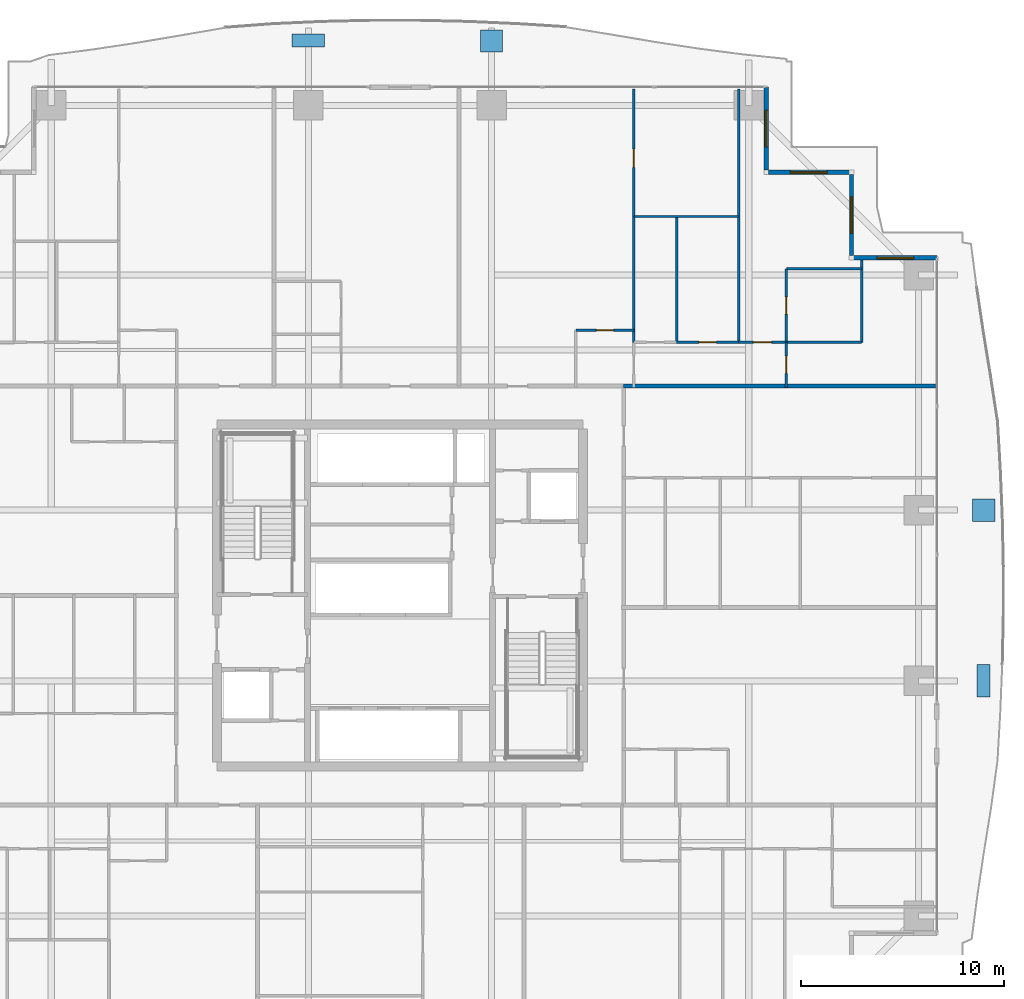
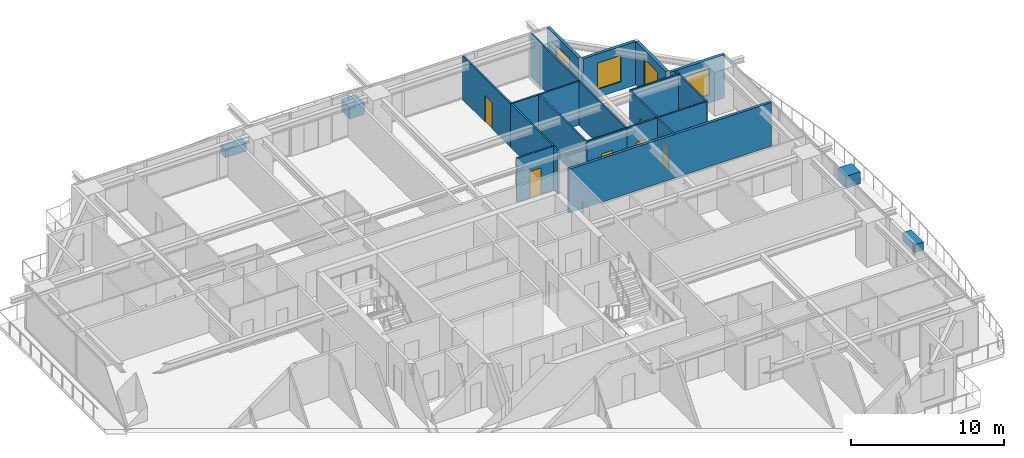
# One storey, part 32 of 38: 18 walls, 6 doors, 4 discrete accessories, 4 windows, 10 openings.
"""IFC4 building model written with IfcOpenShell, lengths in metres."""

import ifcopenshell
import ifcopenshell.guid

model = None  # the IFC model being written
_history = None  # IfcOwnerHistory: only IFC2X3 demands one
_inside = {}  # id of a spatial element -> (the spatial element, [elements in it])
_under = {}  # id of a project, library or spatial element -> (it, [spatial elements below it])
_declared = {}  # id of a project -> (the project, [libraries it declares])
_typed = {}  # id of a type object -> (the type object, [elements of that type])
_made_of = {}  # id of a material, layer set ... -> (it, [elements and type objects made of it])


def new_model(schema):
    """Start an empty IFC model of exactly this schema.

    Asked for "IFC4X3", IfcOpenShell would pick the latest addendum, in which some entities
    have other attributes; the version numbers below select the first issue.
    IFC2X3 requires an IfcOwnerHistory on every rooted entity: one is made here for all.
    """
    global model, _history
    if schema == "IFC4X3":
        model = ifcopenshell.file(schema_version=(4, 3, 0, 0))
    else:
        model = ifcopenshell.file(schema=schema)
    _inside.clear()
    _under.clear()
    _declared.clear()
    _typed.clear()
    _made_of.clear()
    _history = None
    if model.schema == "IFC2X3":
        org = make("IfcOrganization", Name="unknown")
        user = make(
            "IfcPersonAndOrganization",
            ThePerson=make("IfcPerson", FamilyName="unknown"),
            TheOrganization=org,
        )
        app = make(
            "IfcApplication",
            ApplicationDeveloper=org,
            Version="unknown",
            ApplicationFullName="unknown",
            ApplicationIdentifier="unknown",
        )
        _history = make(
            "IfcOwnerHistory",
            OwningUser=user,
            OwningApplication=app,
            ChangeAction="ADDED",
            CreationDate=0,
        )
    return model


def make(cls, **values):
    """One entity of the class cls with the attributes given. An attribute that is None is left unset."""
    return model.create_entity(
        cls, **{name: value for name, value in values.items() if value is not None}
    )


def rooted(cls, **values):
    """An entity with a GlobalId (a new one), such as an element, a storey or a relation."""
    return make(cls, GlobalId=ifcopenshell.guid.new(), OwnerHistory=_history, **values)


def si_unit(unit_type, name, prefix=None):
    """IfcSIUnit, for example si_unit("LENGTHUNIT", "METRE", prefix="MILLI")."""
    return make("IfcSIUnit", UnitType=unit_type, Prefix=prefix, Name=name)


def assignment(units):
    """IfcUnitAssignment: the units of a project."""
    return None if units is None else make("IfcUnitAssignment", Units=units)


def point(xyz):
    """IfcCartesianPoint."""
    return None if xyz is None else make("IfcCartesianPoint", Coordinates=xyz)


def direction(xyz):
    """IfcDirection."""
    return None if xyz is None else make("IfcDirection", DirectionRatios=xyz)


def frame(location, z_axis=None, x_axis=None):
    """IfcAxis2Placement3D, a coordinate frame: its origin and axes. An axis left out is left unset."""
    return make(
        "IfcAxis2Placement3D",
        Location=point(location),
        Axis=direction(z_axis),
        RefDirection=direction(x_axis),
    )


def frame_2d(location, x_axis=None):
    """IfcAxis2Placement2D, a coordinate frame in the plane: its origin and x axis."""
    return make(
        "IfcAxis2Placement2D", Location=point(location), RefDirection=direction(x_axis)
    )


def origin():
    """The frame at (0, 0, 0) with its axes left unset."""
    return frame((0.0, 0.0, 0.0))


def origin_2d():
    """The frame at (0, 0) in the plane with its x axis left unset."""
    return frame_2d((0.0, 0.0))


def place(relative_to, where):
    """IfcLocalPlacement: puts the frame where relative to a parent placement (None: the world)."""
    return make(
        "IfcLocalPlacement", PlacementRelTo=relative_to, RelativePlacement=where
    )


def context(
    kind, dimensions, precision=None, world=None, true_north=None, identifier=None
):
    """IfcGeometricRepresentationContext, for example the 3D "Model" context."""
    return make(
        "IfcGeometricRepresentationContext",
        ContextIdentifier=identifier,
        ContextType=kind,
        CoordinateSpaceDimension=dimensions,
        Precision=precision,
        WorldCoordinateSystem=world,
        TrueNorth=true_north,
    )


def subcontext(parent, identifier, kind, view, scale=None):
    """IfcGeometricRepresentationSubContext, for example "Body" below "Model"."""
    return make(
        "IfcGeometricRepresentationSubContext",
        ContextIdentifier=identifier,
        ContextType=kind,
        ParentContext=parent,
        TargetScale=scale,
        TargetView=view,
    )


def project(units=None, contexts=None):
    """IfcProject with its units and contexts."""
    return rooted(
        "IfcProject",
        Name="project",
        RepresentationContexts=contexts,
        UnitsInContext=assignment(units),
    )


def spatial(cls, under=None, at=None, **own):
    """A site, building, storey or space (cls), placed at a placement, below another one or the project."""
    s = rooted(cls, ObjectPlacement=at, **own)
    if under is not None:
        _under.setdefault(under.id(), (under, []))[1].append(s)
    return s


def profile(cls, at=None, kind="AREA", **sizes):
    """A parametric profile (cls). Its sizes go by their IFC names, for example OverallWidth=200.0."""
    return make(cls, ProfileType=kind, Position=at, **sizes)


def rectangle(**sizes):
    """IfcRectangleProfileDef."""
    return profile("IfcRectangleProfileDef", **sizes)


def extrude(swept, where, along, depth):
    """IfcExtrudedAreaSolid: the profile swept, set in the frame where, extruded along a direction by depth."""
    return make(
        "IfcExtrudedAreaSolid",
        SweptArea=swept,
        Position=where,
        ExtrudedDirection=direction(along),
        Depth=depth,
    )


def shape(context_of_items, identifier, shape_type, items):
    """IfcShapeRepresentation: the items that make up one representation, for example the "Body"."""
    return make(
        "IfcShapeRepresentation",
        ContextOfItems=context_of_items,
        RepresentationIdentifier=identifier,
        RepresentationType=shape_type,
        Items=items,
    )


def source(mapping_origin, context_of_items, identifier, shape_type, items):
    """IfcRepresentationMap: a shape defined once, which mapped items show again and again."""
    return make(
        "IfcRepresentationMap",
        MappingOrigin=mapping_origin,
        MappedRepresentation=shape(context_of_items, identifier, shape_type, items),
    )


def transform(
    local_origin,
    x_axis=None,
    y_axis=None,
    z_axis=None,
    scale=None,
    scale2=None,
    scale3=None,
    uniform=True,
):
    """IfcCartesianTransformationOperator3D, or its non-uniform kind. x_axis, y_axis, z_axis: its Axis1, 2, 3."""
    if uniform:
        return make(
            "IfcCartesianTransformationOperator3D",
            Axis1=direction(x_axis),
            Axis2=direction(y_axis),
            LocalOrigin=point(local_origin),
            Scale=scale,
            Axis3=direction(z_axis),
        )
    return make(
        "IfcCartesianTransformationOperator3DnonUniform",
        Axis1=direction(x_axis),
        Axis2=direction(y_axis),
        LocalOrigin=point(local_origin),
        Scale=scale,
        Axis3=direction(z_axis),
        Scale2=scale2,
        Scale3=scale3,
    )


def mapped(mapping_source, mapping_target):
    """IfcMappedItem: shows the shape of a source again, moved by a transform."""
    return make(
        "IfcMappedItem", MappingSource=mapping_source, MappingTarget=mapping_target
    )


def material(Name=None, Category=None):
    """IfcMaterial."""
    return make("IfcMaterial", Name=Name, Category=Category)


def layer(
    of_material, thickness, ventilated=None, Name=None, Category=None, Priority=None
):
    """IfcMaterialLayer: one layer of a wall or slab, of a material (None: an air gap)."""
    return make(
        "IfcMaterialLayer",
        Material=of_material,
        LayerThickness=thickness,
        IsVentilated=ventilated,
        Name=Name,
        Category=Category,
        Priority=Priority,
    )


def layer_set(layers, Name=None):
    """IfcMaterialLayerSet."""
    return make("IfcMaterialLayerSet", MaterialLayers=layers, LayerSetName=Name)


def made_of(thing, what):
    """Note that an element or type object is made of a material, layer set ...; save() writes the relation."""
    if what is not None:
        _made_of.setdefault(what.id(), (what, []))[1].append(thing)
    return thing


def type_object(cls, material=None, **own):
    """A type object (cls), such as IfcWallType, which elements share."""
    return made_of(rooted(cls, **own), material)


def element(
    cls,
    number,
    at=None,
    inside=None,
    cuts=None,
    type_object=None,
    material=None,
    context=None,
    identifier="Body",
    shape_type=None,
    held_by="IfcProductDefinitionShape",
    body=None,
    shapes=None,
    **own,
):
    """One element of the class cls, such as IfcWall. Its Tag is "e" and its number.

    at: its placement. inside: the storey or other place that contains it. cuts: it is an
    opening in that element (IfcRelVoidsElement). A single representation is given by context,
    identifier, shape_type and body (its items); several are given by shapes. held_by: the class
    of the entity that holds the representations. save() writes the other relations.
    """
    e = rooted(cls, Tag="e%d" % number, ObjectPlacement=at, **own)
    if body is not None:
        shapes = [shape(context, identifier, shape_type, body)]
    if shapes is not None:
        e.Representation = make(held_by, Representations=shapes)
    if inside is not None:
        _inside.setdefault(inside.id(), (inside, []))[1].append(e)
    if cuts is not None:
        rooted(
            "IfcRelVoidsElement", RelatingBuildingElement=cuts, RelatedOpeningElement=e
        )
    if type_object is not None:
        _typed.setdefault(type_object.id(), (type_object, []))[1].append(e)
    return made_of(e, material)


def fill(opening, filler):
    """IfcRelFillsElement: the door or window that sits in an opening."""
    return rooted(
        "IfcRelFillsElement",
        RelatingOpeningElement=opening,
        RelatedBuildingElement=filler,
    )


def aggregate(whole, parts):
    """IfcRelAggregates: a whole, such as a stair, and the parts it consists of."""
    return rooted("IfcRelAggregates", RelatingObject=whole, RelatedObjects=parts)


def save(model, path):
    """Write the relations noted so far, then the file.

    IfcRelAggregates (storeys below a building ...), IfcRelContainedInSpatialStructure (elements
    in a storey), IfcRelDefinesByType, IfcRelAssociatesMaterial and IfcRelDeclares: one each for
    every whole, place, type object, material and project.
    """
    for whole, parts in _under.values():
        aggregate(whole, parts)
    for where, things in _inside.values():
        rooted(
            "IfcRelContainedInSpatialStructure",
            RelatedElements=things,
            RelatingStructure=where,
        )
    for kind, things in _typed.values():
        rooted("IfcRelDefinesByType", RelatedObjects=things, RelatingType=kind)
    for what, things in _made_of.values():
        rooted("IfcRelAssociatesMaterial", RelatedObjects=things, RelatingMaterial=what)
    for by, libraries in _declared.values():
        rooted("IfcRelDeclares", RelatingContext=by, RelatedDefinitions=libraries)
    model.write(path)


model = new_model("IFC4")

# Units and contexts
model_context = context("Model", 3, precision=1e-05, world=origin(), true_north=direction((0.0, 1.0)))
body_context = subcontext(model_context, "Body", "Model", "MODEL_VIEW")
ifc_project = project(units=[si_unit("LENGTHUNIT", "METRE"), si_unit("AREAUNIT", "SQUARE_METRE"), si_unit("VOLUMEUNIT", "CUBIC_METRE"), si_unit("PLANEANGLEUNIT", "RADIAN"), si_unit("MASSUNIT", "GRAM", prefix="KILO")], contexts=[model_context])

# Site, building, storey
site_placement = place(None, origin())
site = spatial("IfcSite", under=ifc_project, at=site_placement, CompositionType="ELEMENT")
building_placement = place(site_placement, origin())
building = spatial("IfcBuilding", under=site, at=building_placement, Name="Serunith Strait Residences", CompositionType="ELEMENT")
storey_placement = place(building_placement, frame((0.0, 0.0, 37.949951171875)))
storey = spatial("IfcBuildingStorey", under=building, at=storey_placement, Name="L08", CompositionType="ELEMENT", Elevation=37.949951171875)

# Wall, opening, window
ifc_material_1 = material(Name="Pale-Champagne Aluminium Insulated Panel", Category="aluminium")
ifc_layer_1 = layer(ifc_material_1, 0.219970703125, Name="Pale-Champagne Aluminium Insulated Panel")
ifc_layer_set_1 = layer_set([ifc_layer_1], Name="Pale-Champagne Aluminium Insulated Panel")
wall_type_1 = type_object("IfcWallType", Name="EW-ALUM-220", PredefinedType="ELEMENTEDWALL", material=ifc_layer_set_1)
wall_1_placement = place(storey_placement, frame((58.800048828125, 41.800048828125, 0.0), z_axis=(0.0, 0.0, 1.0), x_axis=(-1.0, 0.0, 0.0)))
wall_1 = element("IfcWall", 1, at=wall_1_placement, inside=storey, type_object=wall_type_1, Name="L08 Girih Serrated Corner Wall 07", PredefinedType="ELEMENTEDWALL", context=body_context, shape_type="SweptSolid", body=[
    extrude(rectangle(XDim=4.090087890625, YDim=0.219970703125, at=frame_2d((2.044921875, 0.0))), origin(), (0.0, 0.0, 1.0), 3.47509765625),
])
opening_1_placement = place(wall_1_placement, frame((1.14501953125, 0.0, 0.64990234375)))
opening_1 = element("IfcOpeningElement", 2, at=opening_1_placement, cuts=wall_1, Name="Opening W-01", PredefinedType="OPENING", context=body_context, shape_type="SweptSolid", body=[
    extrude(rectangle(XDim=1.800048828125, YDim=2.10009765625, at=frame_2d((0.89990234375, 1.050048828125))), frame((0.0, 0.1201171875, 0.0), z_axis=(0.0, -1.0, 0.0), x_axis=(1.0, 0.0, 0.0)), (0.0, 0.0, 1.0), 0.239990234375),
])
ifc_material_2 = material(Name="Ceramic-Fritted Operable Aluminium Window Glass", Category="aluminium")
window_type = type_object("IfcWindowType", Name="WIN-C1", PartitioningType="DOUBLE_PANEL_VERTICAL", PredefinedType="WINDOW", material=ifc_material_2)
shared_shape_1 = source(origin(), body_context, "Body", "SweptSolid", [
    extrude(rectangle(XDim=1.800048828125, YDim=2.10009765625, at=frame_2d((0.89990234375, 1.050048828125))), frame((0.0, 0.030029296875, 0.0), z_axis=(0.0, -1.0, 0.0), x_axis=(1.0, 0.0, 0.0)), (0.0, 0.0, 1.0), 0.06005859375),
])
window_1_placement = place(opening_1_placement, origin())
window_1 = element("IfcWindow", 3, at=window_1_placement, inside=storey, type_object=window_type, Name="L08 Corner Operable Fritted Window 07", OverallHeight=2.10009765625, OverallWidth=1.800048828125, PartitioningType="SINGLE_PANEL", PredefinedType="WINDOW", context=body_context, shape_type="MappedRepresentation", body=[
    mapped(shared_shape_1, transform((0.0, 0.0, 0.0), scale=1.0)),
])
fill(opening_1, window_1)

wall_2_placement = place(storey_placement, frame((54.60009765625, 41.909912109375, 0.0), z_axis=(0.0, 0.0, 1.0), x_axis=(0.0, 1.0, 0.0)))
wall_2 = element("IfcWall", 4, at=wall_2_placement, inside=storey, type_object=wall_type_1, Name="L08 Girih Serrated Corner Wall 08", PredefinedType="ELEMENTEDWALL", context=body_context, shape_type="SweptSolid", body=[
    extrude(rectangle(XDim=3.97998046875, YDim=0.219970703125, at=frame_2d((1.989990234375, 0.0))), origin(), (0.0, 0.0, 1.0), 3.47509765625),
])
opening_2_placement = place(wall_2_placement, frame((1.090087890625, 0.0, 0.64990234375)))
opening_2 = element("IfcOpeningElement", 5, at=opening_2_placement, cuts=wall_2, Name="Opening W-01", PredefinedType="OPENING", context=body_context, shape_type="SweptSolid", body=[
    extrude(rectangle(XDim=1.800048828125, YDim=2.10009765625, at=frame_2d((0.89990234375, 1.050048828125))), frame((0.0, 0.1201171875, 0.0), z_axis=(0.0, -1.0, 0.0), x_axis=(1.0, 0.0, 0.0)), (0.0, 0.0, 1.0), 0.239990234375),
])
window_2_placement = place(opening_2_placement, origin())
window_2 = element("IfcWindow", 6, at=window_2_placement, inside=storey, type_object=window_type, Name="L08 Corner Operable Fritted Window 08", OverallHeight=2.10009765625, OverallWidth=1.800048828125, PartitioningType="SINGLE_PANEL", PredefinedType="WINDOW", context=body_context, shape_type="MappedRepresentation", body=[
    mapped(shared_shape_1, transform((0.0, 0.0, 0.0), scale=1.0)),
])
fill(opening_2, window_2)

wall_3_placement = place(storey_placement, frame((54.489990234375, 46.0, 0.0), z_axis=(0.0, 0.0, 1.0), x_axis=(-1.0, 0.0, 0.0)))
wall_3 = element("IfcWall", 7, at=wall_3_placement, inside=storey, type_object=wall_type_1, Name="L08 Girih Serrated Corner Wall 09", PredefinedType="ELEMENTEDWALL", context=body_context, shape_type="SweptSolid", body=[
    extrude(rectangle(XDim=3.97998046875, YDim=0.219970703125, at=frame_2d((1.989990234375, 0.0))), origin(), (0.0, 0.0, 1.0), 3.47509765625),
])
opening_3_placement = place(wall_3_placement, frame((1.090087890625, 0.0, 0.64990234375)))
opening_3 = element("IfcOpeningElement", 8, at=opening_3_placement, cuts=wall_3, Name="Opening W-01", PredefinedType="OPENING", context=body_context, shape_type="SweptSolid", body=[
    extrude(rectangle(XDim=1.800048828125, YDim=2.10009765625, at=frame_2d((0.89990234375, 1.050048828125))), frame((0.0, 0.1201171875, 0.0), z_axis=(0.0, -1.0, 0.0), x_axis=(1.0, 0.0, 0.0)), (0.0, 0.0, 1.0), 0.239990234375),
])
window_3_placement = place(opening_3_placement, origin())
window_3 = element("IfcWindow", 9, at=window_3_placement, inside=storey, type_object=window_type, Name="L08 Corner Operable Fritted Window 09", OverallHeight=2.10009765625, OverallWidth=1.800048828125, PartitioningType="SINGLE_PANEL", PredefinedType="WINDOW", context=body_context, shape_type="MappedRepresentation", body=[
    mapped(shared_shape_1, transform((0.0, 0.0, 0.0), scale=1.0)),
])
fill(opening_3, window_3)

wall_4_placement = place(storey_placement, frame((50.39990234375, 46.110107421875, 0.0), z_axis=(0.0, 0.0, 1.0), x_axis=(0.0, 1.0, 0.0)))
wall_4 = element("IfcWall", 10, at=wall_4_placement, inside=storey, type_object=wall_type_1, Name="L08 Girih Serrated Corner Wall 10", PredefinedType="ELEMENTEDWALL", context=body_context, shape_type="SweptSolid", body=[
    extrude(rectangle(XDim=4.08984375, YDim=0.219970703125, at=frame_2d((2.044921875, 0.0))), origin(), (0.0, 0.0, 1.0), 3.47509765625),
])
opening_4_placement = place(wall_4_placement, frame((1.14501953125, 0.0, 0.64990234375)))
opening_4 = element("IfcOpeningElement", 11, at=opening_4_placement, cuts=wall_4, Name="Opening W-01", PredefinedType="OPENING", context=body_context, shape_type="SweptSolid", body=[
    extrude(rectangle(XDim=1.800048828125, YDim=2.10009765625, at=frame_2d((0.89990234375, 1.050048828125))), frame((0.0, 0.1201171875, 0.0), z_axis=(0.0, -1.0, 0.0), x_axis=(1.0, 0.0, 0.0)), (0.0, 0.0, 1.0), 0.239990234375),
])
window_4_placement = place(opening_4_placement, origin())
window_4 = element("IfcWindow", 12, at=window_4_placement, inside=storey, type_object=window_type, Name="L08 Corner Operable Fritted Window 10", OverallHeight=2.10009765625, OverallWidth=1.800048828125, PartitioningType="SINGLE_PANEL", PredefinedType="WINDOW", context=body_context, shape_type="MappedRepresentation", body=[
    mapped(shared_shape_1, transform((0.0, 0.0, 0.0), scale=1.0)),
])
fill(opening_4, window_4)

# Wall, opening, door
ifc_material_3 = material(Name="Lightweight steel-stud gypsum partition", Category="steel")
ifc_layer_2 = layer(ifc_material_3, 0.1201171875, Name="Lightweight steel-stud gypsum partition")
ifc_layer_set_2 = layer_set([ifc_layer_2], Name="Lightweight steel-stud gypsum partition")
wall_type_2 = type_object("IfcWallType", Name="IW-PART-120", PredefinedType="PARTITIONING", material=ifc_layer_set_2)
wall_5_placement = place(storey_placement, frame((41.050048828125, 38.25, 0.0), z_axis=(0.0, 0.0, 1.0), x_axis=(1.0, 0.0, 0.0)))
wall_5 = element("IfcWall", 13, at=wall_5_placement, inside=storey, type_object=wall_type_2, Name="L08 Partition Wall 087", PredefinedType="PARTITIONING", context=body_context, shape_type="SweptSolid", body=[
    extrude(rectangle(XDim=2.849853515625, YDim=0.1201171875, at=frame_2d((1.4248046875, 0.0))), origin(), (0.0, 0.0, 1.0), 3.489990234375),
])
opening_5_placement = place(wall_5_placement, frame((1.0, 0.0, 0.0)))
opening_5 = element("IfcOpeningElement", 14, at=opening_5_placement, cuts=wall_5, Name="Opening D-RM850", PredefinedType="OPENING", context=body_context, shape_type="SweptSolid", body=[
    extrude(rectangle(XDim=0.85009765625, YDim=2.10009765625, at=frame_2d((0.425048828125, 1.050048828125))), frame((0.0, 0.070068359375, 0.0), z_axis=(0.0, -1.0, 0.0), x_axis=(1.0, 0.0, 0.0)), (0.0, 0.0, 1.0), 0.14013671875),
])
ifc_material_4 = material(Name="Engineered timber flush study and kitchen door", Category="wood")
door_type_1 = type_object("IfcDoorType", Name="ID-ROOM-850", OperationType="NOTDEFINED", PredefinedType="DOOR", material=ifc_material_4)
shared_shape_2 = source(origin(), body_context, "Body", "SweptSolid", [
    extrude(rectangle(XDim=0.85009765625, YDim=2.10009765625, at=frame_2d((0.425048828125, 1.050048828125))), frame((0.0, 0.02490234375, 0.0), z_axis=(0.0, -1.0, 0.0), x_axis=(1.0, 0.0, 0.0)), (0.0, 0.0, 1.0), 0.050048828125),
])
door_1_placement = place(opening_5_placement, origin())
door_1 = element("IfcDoor", 15, at=door_1_placement, inside=storey, type_object=door_type_1, Name="L08 Kitchen 0806 Door", OperationType="SINGLE_SWING_RIGHT", OverallHeight=2.10009765625, OverallWidth=0.85009765625, PredefinedType="DOOR", context=body_context, shape_type="MappedRepresentation", body=[
    mapped(shared_shape_2, transform((0.0, 0.0, 0.0), scale=1.0)),
])
fill(opening_5, door_1)

wall_6_placement = place(storey_placement, frame((43.89990234375, 50.10498046875, 0.0), z_axis=(0.0, 0.0, 1.0), x_axis=(0.0, -1.0, 0.0)))
wall_6 = element("IfcWall", 16, at=wall_6_placement, inside=storey, type_object=wall_type_2, Name="L08 Partition Wall 090", PredefinedType="PARTITIONING", context=body_context, shape_type="SweptSolid", body=[
    extrude(rectangle(XDim=6.26904296875, YDim=0.1201171875, at=frame_2d((3.134521484375, 0.0))), origin(), (0.0, 0.0, 1.0), 3.489990234375),
])
opening_6_placement = place(wall_6_placement, frame((2.952880859375, 0.0, 0.0)))
opening_6 = element("IfcOpeningElement", 17, at=opening_6_placement, cuts=wall_6, Name="Opening D-RM900", PredefinedType="OPENING", context=body_context, shape_type="SweptSolid", body=[
    extrude(rectangle(XDim=0.89990234375, YDim=2.10009765625, at=frame_2d((0.449951171875, 1.050048828125))), frame((0.0, 0.070068359375, 0.0), z_axis=(0.0, -1.0, 0.0), x_axis=(1.0, 0.0, 0.0)), (0.0, 0.0, 1.0), 0.14013671875),
])
ifc_material_5 = material(Name="Engineered timber flush bedroom door", Category="wood")
door_type_2 = type_object("IfcDoorType", Name="ID-ROOM-900", OperationType="NOTDEFINED", PredefinedType="DOOR", material=ifc_material_5)
shared_shape_3 = source(origin(), body_context, "Body", "SweptSolid", [
    extrude(rectangle(XDim=0.89990234375, YDim=2.10009765625, at=frame_2d((0.449951171875, 1.050048828125))), frame((0.0, 0.02490234375, 0.0), z_axis=(0.0, -1.0, 0.0), x_axis=(1.0, 0.0, 0.0)), (0.0, 0.0, 1.0), 0.050048828125),
])
door_2_placement = place(opening_6_placement, origin())
door_2 = element("IfcDoor", 18, at=door_2_placement, inside=storey, type_object=door_type_2, Name="L08 Formal Dining Room 1 0806 Door", OperationType="SINGLE_SWING_RIGHT", OverallHeight=2.10009765625, OverallWidth=0.89990234375, PredefinedType="DOOR", context=body_context, shape_type="MappedRepresentation", body=[
    mapped(shared_shape_3, transform((0.0, 0.0, 0.0), scale=1.0)),
])
fill(opening_6, door_2)

# Walls
wall_7_placement = place(storey_placement, frame((43.89990234375, 43.833984375, 0.0), z_axis=(0.0, 0.0, 1.0), x_axis=(0.0, -1.0, 0.0)))
element("IfcWall", 19, at=wall_7_placement, inside=storey, type_object=wall_type_2, Name="L08 Partition Wall 091", PredefinedType="PARTITIONING", context=body_context, shape_type="SweptSolid", body=[
    extrude(rectangle(XDim=6.181884765625, YDim=0.1201171875, at=frame_2d((3.0908203125, 0.0))), origin(), (0.0, 0.0, 1.0), 3.489990234375),
])
wall_8_placement = place(storey_placement, frame((43.89990234375, 43.8359375, 0.0), z_axis=(0.0, 0.0, 1.0), x_axis=(1.0, 0.0, 0.0)))
element("IfcWall", 20, at=wall_8_placement, inside=storey, type_object=wall_type_2, Name="L08 Partition Wall 092", PredefinedType="PARTITIONING", context=body_context, shape_type="SweptSolid", body=[
    extrude(rectangle(XDim=5.150146484375, YDim=0.1201171875, at=frame_2d((2.5751953125, 0.0))), origin(), (0.0, 0.0, 1.0), 3.489990234375),
])
wall_9_placement = place(storey_placement, frame((49.050048828125, 50.10498046875, 0.0), z_axis=(0.0, 0.0, 1.0), x_axis=(0.0, -1.0, 0.0)))
element("IfcWall", 21, at=wall_9_placement, inside=storey, type_object=wall_type_2, Name="L08 Partition Wall 093", PredefinedType="PARTITIONING", context=body_context, shape_type="SweptSolid", body=[
    extrude(rectangle(XDim=12.455078125, YDim=0.1201171875, at=frame_2d((6.2275390625, 0.0))), origin(), (0.0, 0.0, 1.0), 3.489990234375),
])
wall_10_placement = place(storey_placement, frame((46.0, 43.8359375, 0.0), z_axis=(0.0, 0.0, 1.0), x_axis=(0.0, -1.0, 0.0)))
element("IfcWall", 22, at=wall_10_placement, inside=storey, type_object=wall_type_2, Name="L08 Partition Wall 094", PredefinedType="PARTITIONING", context=body_context, shape_type="SweptSolid", body=[
    extrude(rectangle(XDim=6.18603515625, YDim=0.1201171875, at=frame_2d((3.093017578125, 0.0))), origin(), (0.0, 0.0, 1.0), 3.489990234375),
])

# Wall, opening, door
wall_11_placement = place(storey_placement, frame((46.001953125, 37.64990234375, 0.0), z_axis=(0.0, 0.0, 1.0), x_axis=(1.0, 0.0, 0.0)))
wall_11 = element("IfcWall", 23, at=wall_11_placement, inside=storey, type_object=wall_type_2, Name="L08 Partition Wall 096", PredefinedType="PARTITIONING", context=body_context, shape_type="SweptSolid", body=[
    extrude(rectangle(XDim=3.048095703125, YDim=0.1201171875, at=frame_2d((1.52392578125, 0.0))), origin(), (0.0, 0.0, 1.0), 3.489990234375),
])
opening_7_placement = place(wall_11_placement, frame((1.09912109375, 0.0, 0.0)))
opening_7 = element("IfcOpeningElement", 24, at=opening_7_placement, cuts=wall_11, Name="Opening D-RM850", PredefinedType="OPENING", context=body_context, shape_type="SweptSolid", body=[
    extrude(rectangle(XDim=0.85009765625, YDim=2.10009765625, at=frame_2d((0.425048828125, 1.050048828125))), frame((0.0, 0.070068359375, 0.0), z_axis=(0.0, -1.0, 0.0), x_axis=(1.0, 0.0, 0.0)), (0.0, 0.0, 1.0), 0.14013671875),
])
door_3_placement = place(opening_7_placement, origin())
door_3 = element("IfcDoor", 25, at=door_3_placement, inside=storey, type_object=door_type_1, Name="L08 Laundry Room 0806 Door", OperationType="SINGLE_SWING_RIGHT", OverallHeight=2.10009765625, OverallWidth=0.85009765625, PredefinedType="DOOR", context=body_context, shape_type="MappedRepresentation", body=[
    mapped(shared_shape_2, transform((0.0, 0.0, 0.0), scale=1.0)),
])
fill(opening_7, door_3)

wall_12_placement = place(storey_placement, frame((49.052001953125, 37.64990234375, 0.0), z_axis=(0.0, 0.0, 1.0), x_axis=(1.0, 0.0, 0.0)))
wall_12 = element("IfcWall", 26, at=wall_12_placement, inside=storey, type_object=wall_type_2, Name="L08 Partition Wall 097", PredefinedType="PARTITIONING", context=body_context, shape_type="SweptSolid", body=[
    extrude(rectangle(XDim=2.347900390625, YDim=0.1201171875, at=frame_2d((1.173828125, 0.0))), origin(), (0.0, 0.0, 1.0), 3.489990234375),
])
opening_8_placement = place(wall_12_placement, frame((0.72412109375, 0.0, 0.0)))
opening_8 = element("IfcOpeningElement", 27, at=opening_8_placement, cuts=wall_12, Name="Opening D-RM900", PredefinedType="OPENING", context=body_context, shape_type="SweptSolid", body=[
    extrude(rectangle(XDim=0.89990234375, YDim=2.10009765625, at=frame_2d((0.449951171875, 1.050048828125))), frame((0.0, 0.070068359375, 0.0), z_axis=(0.0, -1.0, 0.0), x_axis=(1.0, 0.0, 0.0)), (0.0, 0.0, 1.0), 0.14013671875),
])
door_4_placement = place(opening_8_placement, origin())
door_4 = element("IfcDoor", 28, at=door_4_placement, inside=storey, type_object=door_type_2, Name="L08 Master Bedroom E 0806 Door", OperationType="SINGLE_SWING_LEFT", OverallHeight=2.10009765625, OverallWidth=0.89990234375, PredefinedType="DOOR", context=body_context, shape_type="MappedRepresentation", body=[
    mapped(shared_shape_3, transform((0.0, 0.0, 0.0), scale=1.0)),
])
fill(opening_8, door_4)

# Walls
wall_13_placement = place(storey_placement, frame((51.39990234375, 41.261962890625, 0.0), z_axis=(0.0, 0.0, 1.0), x_axis=(1.0, 0.0, 0.0)))
element("IfcWall", 29, at=wall_13_placement, inside=storey, type_object=wall_type_2, Name="L08 Partition Wall 098", PredefinedType="PARTITIONING", context=body_context, shape_type="SweptSolid", body=[
    extrude(rectangle(XDim=3.7001953125, YDim=0.1201171875, at=frame_2d((1.85009765625, 0.0))), origin(), (0.0, 0.0, 1.0), 3.489990234375),
])
wall_14_placement = place(storey_placement, frame((55.10009765625, 41.705078125, 0.0), z_axis=(0.0, 0.0, 1.0), x_axis=(0.0, -1.0, 0.0)))
element("IfcWall", 30, at=wall_14_placement, inside=storey, type_object=wall_type_2, Name="L08 Partition Wall 099", PredefinedType="PARTITIONING", context=body_context, shape_type="SweptSolid", body=[
    extrude(rectangle(XDim=4.05517578125, YDim=0.1201171875, at=frame_2d((2.027587890625, 0.0))), origin(), (0.0, 0.0, 1.0), 3.489990234375),
])
wall_15_placement = place(storey_placement, frame((51.402099609375, 37.64990234375, 0.0), z_axis=(0.0, 0.0, 1.0), x_axis=(1.0, 0.0, 0.0)))
element("IfcWall", 31, at=wall_15_placement, inside=storey, type_object=wall_type_2, Name="L08 Partition Wall 100", PredefinedType="PARTITIONING", context=body_context, shape_type="SweptSolid", body=[
    extrude(rectangle(XDim=3.697998046875, YDim=0.1201171875, at=frame_2d((1.84912109375, 0.0))), origin(), (0.0, 0.0, 1.0), 3.489990234375),
])

# Wall, opening, door
wall_16_placement = place(storey_placement, frame((51.39990234375, 41.261962890625, 0.0), z_axis=(0.0, 0.0, 1.0), x_axis=(0.0, -1.0, 0.0)))
wall_16 = element("IfcWall", 32, at=wall_16_placement, inside=storey, type_object=wall_type_2, Name="L08 Partition Wall 101", PredefinedType="PARTITIONING", context=body_context, shape_type="SweptSolid", body=[
    extrude(rectangle(XDim=3.612060546875, YDim=0.1201171875, at=frame_2d((1.80615234375, 0.0))), origin(), (0.0, 0.0, 1.0), 3.489990234375),
])
opening_9_placement = place(wall_16_placement, frame((1.381103515625, 0.0, 0.0)))
opening_9 = element("IfcOpeningElement", 33, at=opening_9_placement, cuts=wall_16, Name="Opening D-BTH850", PredefinedType="OPENING", context=body_context, shape_type="SweptSolid", body=[
    extrude(rectangle(XDim=0.85009765625, YDim=2.10009765625, at=frame_2d((0.425048828125, 1.050048828125))), frame((0.0, 0.070068359375, 0.0), z_axis=(0.0, -1.0, 0.0), x_axis=(1.0, 0.0, 0.0)), (0.0, 0.0, 1.0), 0.14013671875),
])
ifc_material_6 = material(Name="Moisture-resistant timber bathroom door", Category="wood")
door_type_3 = type_object("IfcDoorType", Name="ID-BATH-850", OperationType="NOTDEFINED", PredefinedType="DOOR", material=ifc_material_6)
door_5_placement = place(opening_9_placement, origin())
door_5 = element("IfcDoor", 34, at=door_5_placement, inside=storey, type_object=door_type_3, Name="L08 En-suite Bathroom E 0806 Door", OperationType="SINGLE_SWING_RIGHT", OverallHeight=2.10009765625, OverallWidth=0.85009765625, PredefinedType="DOOR", context=body_context, shape_type="MappedRepresentation", body=[
    mapped(shared_shape_2, transform((0.0, 0.0, 0.0), scale=1.0)),
])
fill(opening_9, door_5)

wall_17_placement = place(storey_placement, frame((51.39990234375, 37.64794921875, 0.0), z_axis=(0.0, 0.0, 1.0), x_axis=(0.0, -1.0, 0.0)))
wall_17 = element("IfcWall", 35, at=wall_17_placement, inside=storey, type_object=wall_type_2, Name="L08 Partition Wall 102", PredefinedType="PARTITIONING", context=body_context, shape_type="SweptSolid", body=[
    extrude(rectangle(XDim=2.2080078125, YDim=0.1201171875, at=frame_2d((1.10400390625, 0.0))), origin(), (0.0, 0.0, 1.0), 3.489990234375),
])
opening_10_placement = place(wall_17_placement, frame((0.678955078125, 0.0, 0.0)))
opening_10 = element("IfcOpeningElement", 36, at=opening_10_placement, cuts=wall_17, Name="Opening D-RM850", PredefinedType="OPENING", context=body_context, shape_type="SweptSolid", body=[
    extrude(rectangle(XDim=0.85009765625, YDim=2.10009765625, at=frame_2d((0.425048828125, 1.050048828125))), frame((0.0, 0.070068359375, 0.0), z_axis=(0.0, -1.0, 0.0), x_axis=(1.0, 0.0, 0.0)), (0.0, 0.0, 1.0), 0.14013671875),
])
door_6_placement = place(opening_10_placement, origin())
door_6 = element("IfcDoor", 37, at=door_6_placement, inside=storey, type_object=door_type_1, Name="L08 Wardrobe E 0806 Door", OperationType="SINGLE_SWING_LEFT", OverallHeight=2.10009765625, OverallWidth=0.85009765625, PredefinedType="DOOR", context=body_context, shape_type="MappedRepresentation", body=[
    mapped(shared_shape_2, transform((0.0, 0.0, 0.0), scale=1.0)),
])
fill(opening_10, door_6)

# Wall
ifc_material_7 = material(Name="Twin-stud acoustic gypsum board partition")
ifc_layer_3 = layer(ifc_material_7, 0.199951171875, Name="Twin-stud acoustic gypsum board partition")
ifc_layer_set_3 = layer_set([ifc_layer_3], Name="Twin-stud acoustic gypsum board partition")
wall_type_3 = type_object("IfcWallType", Name="IW-PARTY-200", PredefinedType="PARTITIONING", material=ifc_layer_set_3)
wall_18_placement = place(storey_placement, frame((43.39990234375, 35.5, 0.0), z_axis=(0.0, 0.0, 1.0), x_axis=(1.0, 0.0, 0.0)))
element("IfcWall", 38, at=wall_18_placement, inside=storey, type_object=wall_type_3, Name="L08 Partition Wall 026", PredefinedType="PARTITIONING", context=body_context, shape_type="SweptSolid", body=[
    extrude(rectangle(XDim=15.318115234375, YDim=0.199951171875, at=frame_2d((7.6591796875, 0.0))), origin(), (0.0, 0.0, 1.0), 3.489990234375),
])

# Discrete accessories
ifc_material_8 = material(Name="GFRC Root-Anchored Structural Planter")
discrete_accessory_type_1 = type_object("IfcDiscreteAccessoryType", Name="ACC-PLANTER-TREE", PredefinedType="USERDEFINED", material=ifc_material_8)
shared_shape_4 = source(origin(), body_context, "Body", "SweptSolid", [
    extrude(rectangle(XDim=1.10009765625, YDim=1.10009765625, at=origin_2d()), origin(), (0.0, 0.0, 1.0), 0.949951171875),
])
for number, where, z_axis, x_axis, name in (
    (39, (36.89990234375, 52.466064453125, -0.0498046875), (0.0, 0.0, 1.0), (-1.0, 0.0, 0.0), "L08 Vertical-Forest Tree Planter 07"),
    (40, (61.108642578125, 29.39990234375, -0.0498046875), (0.0, 0.0, 1.0), (0.0, 1.0, 0.0), "L08 Vertical-Forest Tree Planter 11"),
):
    element("IfcDiscreteAccessory", number, at=place(storey_placement, frame(where, z_axis=z_axis, x_axis=x_axis)), inside=storey, type_object=discrete_accessory_type_1, Name=name, ObjectType="PLANTER", PredefinedType="USERDEFINED", context=body_context, shape_type="MappedRepresentation", body=[
        mapped(shared_shape_4, transform((0.0, 0.0, 0.0), scale=1.0)),
    ])
ifc_material_9 = material(Name="GFRC Irrigated Shrub Trough Planter")
discrete_accessory_type_2 = type_object("IfcDiscreteAccessoryType", Name="ACC-PLANTER-SHRUB", PredefinedType="USERDEFINED", material=ifc_material_9)
shared_shape_5 = source(origin(), body_context, "Body", "SweptSolid", [
    extrude(rectangle(XDim=1.60009765625, YDim=0.64990234375, at=origin_2d()), origin(), (0.0, 0.0, 1.0), 0.64990234375),
])
for number, where, z_axis, x_axis, name in (
    (41, (27.89990234375, 52.4873046875, -0.0498046875), (0.0, 0.0, 1.0), (-1.0, 0.0, 0.0), "L08 Vertical-Forest Shrub Planter 06"),
    (42, (61.087890625, 21.0, -0.0498046875), (0.0, 0.0, 1.0), (0.0, 1.0, 0.0), "L08 Vertical-Forest Shrub Planter 10"),
):
    element("IfcDiscreteAccessory", number, at=place(storey_placement, frame(where, z_axis=z_axis, x_axis=x_axis)), inside=storey, type_object=discrete_accessory_type_2, Name=name, ObjectType="PLANTER", PredefinedType="USERDEFINED", context=body_context, shape_type="MappedRepresentation", body=[
        mapped(shared_shape_5, transform((0.0, 0.0, 0.0), scale=1.0)),
    ])

save(model, "model.ifc")
